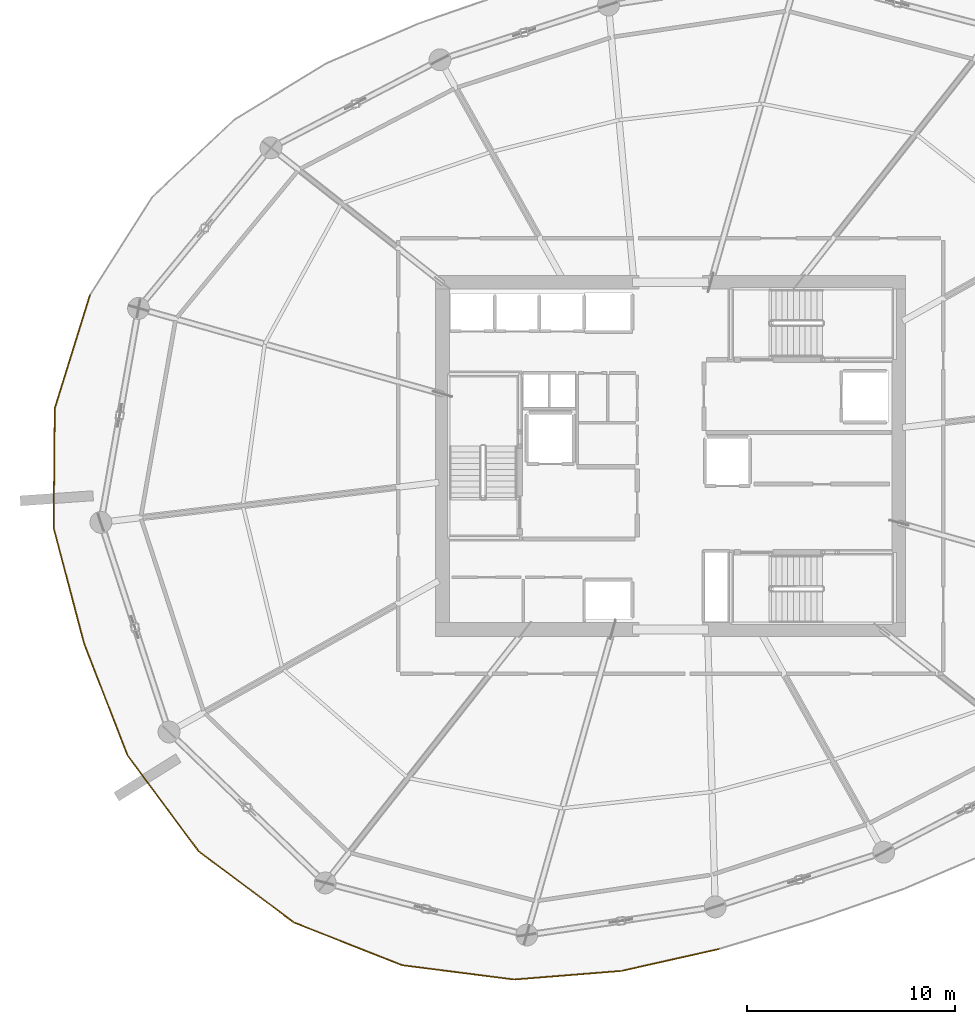
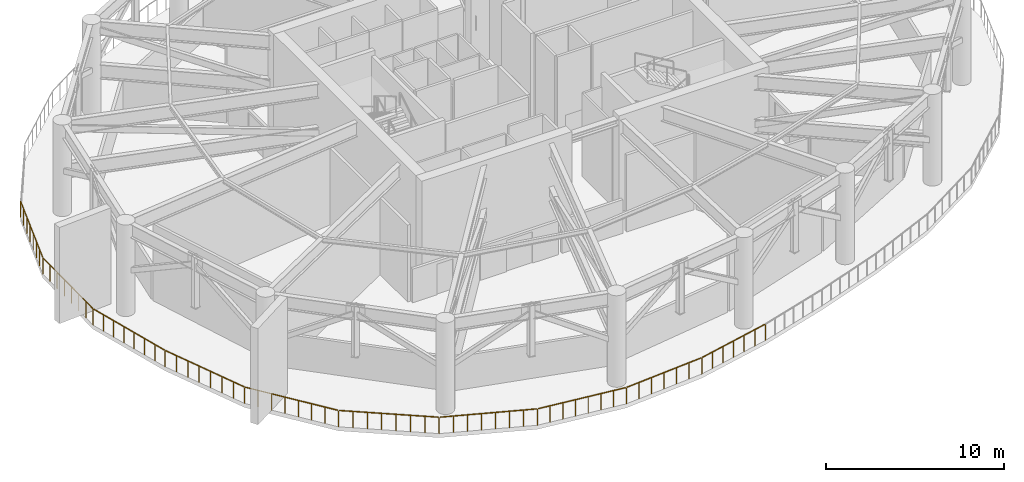
# One storey, part 16 of 20: 10 railings.
"""IFC4 building model written with IfcOpenShell, lengths in metres."""

from ifc_helpers import new_model, si_unit, direction, frame, origin, origin_2d, place, context, subcontext, project, spatial, rectangle, extrude, material, type_object, element, save


model = new_model("IFC4")

# Units and contexts
model_context = context("Model", 3, precision=1e-05, world=origin(), true_north=direction((0.0, 1.0)))
body_context = subcontext(model_context, "Body", "Model", "MODEL_VIEW")
ifc_project = project(units=[si_unit("LENGTHUNIT", "METRE"), si_unit("AREAUNIT", "SQUARE_METRE"), si_unit("VOLUMEUNIT", "CUBIC_METRE"), si_unit("PLANEANGLEUNIT", "RADIAN"), si_unit("MASSUNIT", "GRAM", prefix="KILO")], contexts=[model_context])

# Site, building, storey
site_placement = place(None, origin())
site = spatial("IfcSite", under=ifc_project, at=site_placement, CompositionType="ELEMENT")
building_placement = place(site_placement, origin())
building = spatial("IfcBuilding", under=site, at=building_placement, Name="Kazma Halo Residences", CompositionType="ELEMENT")
storey_placement = place(building_placement, frame((0.0, 0.0, 225.300048828125)))
storey = spatial("IfcBuildingStorey", under=building, at=storey_placement, Name="L57", CompositionType="ELEMENT", Elevation=225.300048828125)

# Railings
ifc_material = material(Name="Brushed Stainless Steel and Laminated Glass", Category="steel")
railing_type = type_object("IfcRailingType", Name="RLG-EXT-GUARD-1150", PredefinedType="GUARDRAIL", material=ifc_material)
railing_1_placement = place(storey_placement, frame((20.5625, 49.73828125, 0.0)))
element("IfcRailing", 1, at=railing_1_placement, inside=storey, type_object=railing_type, Name="L57 open wind-floor perimeter guard 14", PredefinedType="GUARDRAIL", context=body_context, shape_type="SweptSolid", body=[
    extrude(rectangle(XDim=0.050048828125, YDim=0.050048828125, at=origin_2d()), frame((-0.0126953125, -0.04052734375, 1.125), z_axis=(-0.296885266227, -0.954913157673, 0.0), x_axis=(0.954913157673, -0.296885266227, 0.0)), (0.0, 0.0, 1.0), 5.617919921875),
    extrude(rectangle(XDim=0.0400390625, YDim=0.0400390625, at=origin_2d()), origin(), (0.0, 0.0, 1.0), 1.087890625),
    extrude(rectangle(XDim=0.0400390625, YDim=0.0400390625, at=origin_2d()), frame((-0.241943359375, -0.778076171875, 0.0)), (0.0, 0.0, 1.0), 1.087890625),
    extrude(rectangle(XDim=0.0400390625, YDim=0.0400390625, at=origin_2d()), frame((-0.483642578125, -1.555908203125, 0.0)), (0.0, 0.0, 1.0), 1.087890625),
    extrude(rectangle(XDim=0.0400390625, YDim=0.0400390625, at=origin_2d()), frame((-0.7255859375, -2.333984375, 0.0)), (0.0, 0.0, 1.0), 1.087890625),
    extrude(rectangle(XDim=0.0400390625, YDim=0.0400390625, at=origin_2d()), frame((-0.967529296875, -3.11181640625, 0.0)), (0.0, 0.0, 1.0), 1.087890625),
    extrude(rectangle(XDim=0.0400390625, YDim=0.0400390625, at=origin_2d()), frame((-1.20947265625, -3.889892578125, 0.0)), (0.0, 0.0, 1.0), 1.087890625),
    extrude(rectangle(XDim=0.0400390625, YDim=0.0400390625, at=origin_2d()), frame((-1.451171875, -4.667724609375, 0.0)), (0.0, 0.0, 1.0), 1.087890625),
    extrude(rectangle(XDim=0.0400390625, YDim=0.0400390625, at=origin_2d()), frame((-1.693115234375, -5.44580078125, 0.0)), (0.0, 0.0, 1.0), 1.087890625),
])
railing_2_placement = place(storey_placement, frame((18.869384765625, 44.29248046875, 0.0)))
element("IfcRailing", 2, at=railing_2_placement, inside=storey, type_object=railing_type, Name="L57 open wind-floor perimeter guard 15", PredefinedType="GUARDRAIL", context=body_context, shape_type="SweptSolid", body=[
    extrude(rectangle(XDim=0.050048828125, YDim=0.050048828125, at=origin_2d()), frame((-0.00048828125, -0.04248046875, 1.125), z_axis=(-0.009346180269, -0.999956323503, 0.0), x_axis=(0.999956323503, -0.009346180269, 0.0)), (0.0, 0.0, 1.0), 5.661865234375),
    extrude(rectangle(XDim=0.0400390625, YDim=0.0400390625, at=origin_2d()), origin(), (0.0, 0.0, 1.0), 1.087890625),
    extrude(rectangle(XDim=0.0400390625, YDim=0.0400390625, at=origin_2d()), frame((-0.007568359375, -0.821044921875, 0.0)), (0.0, 0.0, 1.0), 1.087890625),
    extrude(rectangle(XDim=0.0400390625, YDim=0.0400390625, at=origin_2d()), frame((-0.015380859375, -1.641845703125, 0.0)), (0.0, 0.0, 1.0), 1.087890625),
    extrude(rectangle(XDim=0.0400390625, YDim=0.0400390625, at=origin_2d()), frame((-0.02294921875, -2.462890625, 0.0)), (0.0, 0.0, 1.0), 1.087890625),
    extrude(rectangle(XDim=0.0400390625, YDim=0.0400390625, at=origin_2d()), frame((-0.03076171875, -3.28369140625, 0.0)), (0.0, 0.0, 1.0), 1.087890625),
    extrude(rectangle(XDim=0.0400390625, YDim=0.0400390625, at=origin_2d()), frame((-0.038330078125, -4.104736328125, 0.0)), (0.0, 0.0, 1.0), 1.087890625),
    extrude(rectangle(XDim=0.0400390625, YDim=0.0400390625, at=origin_2d()), frame((-0.046142578125, -4.925537109375, 0.0)), (0.0, 0.0, 1.0), 1.087890625),
    extrude(rectangle(XDim=0.0400390625, YDim=0.0400390625, at=origin_2d()), frame((-0.0537109375, -5.74658203125, 0.0)), (0.0, 0.0, 1.0), 1.087890625),
])
railing_3_placement = place(storey_placement, frame((18.815673828125, 38.5458984375, 0.0)))
element("IfcRailing", 3, at=railing_3_placement, inside=storey, type_object=railing_type, Name="L57 open wind-floor perimeter guard 16", PredefinedType="GUARDRAIL", context=body_context, shape_type="SweptSolid", body=[
    extrude(rectangle(XDim=0.050048828125, YDim=0.050048828125, at=origin_2d()), frame((0.0107421875, -0.041015625, 1.125), z_axis=(0.254959938761, -0.966951617004, 0.0), x_axis=(0.966951617004, 0.254959938761, 0.0)), (0.0, 0.0, 1.0), 5.657470703125),
    extrude(rectangle(XDim=0.0400390625, YDim=0.0400390625, at=origin_2d()), origin(), (0.0, 0.0, 1.0), 1.087890625),
    extrude(rectangle(XDim=0.0400390625, YDim=0.0400390625, at=origin_2d()), frame((0.209228515625, -0.793212890625, 0.0)), (0.0, 0.0, 1.0), 1.087890625),
    extrude(rectangle(XDim=0.0400390625, YDim=0.0400390625, at=origin_2d()), frame((0.418212890625, -1.58642578125, 0.0)), (0.0, 0.0, 1.0), 1.087890625),
    extrude(rectangle(XDim=0.0400390625, YDim=0.0400390625, at=origin_2d()), frame((0.62744140625, -2.379638671875, 0.0)), (0.0, 0.0, 1.0), 1.087890625),
    extrude(rectangle(XDim=0.0400390625, YDim=0.0400390625, at=origin_2d()), frame((0.836669921875, -3.173095703125, 0.0)), (0.0, 0.0, 1.0), 1.087890625),
    extrude(rectangle(XDim=0.0400390625, YDim=0.0400390625, at=origin_2d()), frame((1.0458984375, -3.96630859375, 0.0)), (0.0, 0.0, 1.0), 1.087890625),
    extrude(rectangle(XDim=0.0400390625, YDim=0.0400390625, at=origin_2d()), frame((1.2548828125, -4.759521484375, 0.0)), (0.0, 0.0, 1.0), 1.087890625),
    extrude(rectangle(XDim=0.0400390625, YDim=0.0400390625, at=origin_2d()), frame((1.464111328125, -5.552734375, 0.0)), (0.0, 0.0, 1.0), 1.087890625),
])
railing_4_placement = place(storey_placement, frame((20.27978515625, 32.9931640625, 0.0)))
element("IfcRailing", 4, at=railing_4_placement, inside=storey, type_object=railing_type, Name="L57 open wind-floor perimeter guard 17", PredefinedType="GUARDRAIL", context=body_context, shape_type="SweptSolid", body=[
    extrude(rectangle(XDim=0.050048828125, YDim=0.050048828125, at=origin_2d()), frame((0.015380859375, -0.03955078125, 1.125), z_axis=(0.362099505879, -0.932139446565, 0.0), x_axis=(0.932139446565, 0.362099505879, 0.0)), (0.0, 0.0, 1.0), 5.657470703125),
    extrude(rectangle(XDim=0.0400390625, YDim=0.0400390625, at=origin_2d()), origin(), (0.0, 0.0, 1.0), 1.087890625),
    extrude(rectangle(XDim=0.0400390625, YDim=0.0400390625, at=origin_2d()), frame((0.297119140625, -0.7646484375, 0.0)), (0.0, 0.0, 1.0), 1.087890625),
    extrude(rectangle(XDim=0.0400390625, YDim=0.0400390625, at=origin_2d()), frame((0.593994140625, -1.529296875, 0.0)), (0.0, 0.0, 1.0), 1.087890625),
    extrude(rectangle(XDim=0.0400390625, YDim=0.0400390625, at=origin_2d()), frame((0.89111328125, -2.2939453125, 0.0)), (0.0, 0.0, 1.0), 1.087890625),
    extrude(rectangle(XDim=0.0400390625, YDim=0.0400390625, at=origin_2d()), frame((1.188232421875, -3.058837890625, 0.0)), (0.0, 0.0, 1.0), 1.087890625),
    extrude(rectangle(XDim=0.0400390625, YDim=0.0400390625, at=origin_2d()), frame((1.4853515625, -3.823486328125, 0.0)), (0.0, 0.0, 1.0), 1.087890625),
    extrude(rectangle(XDim=0.0400390625, YDim=0.0400390625, at=origin_2d()), frame((1.7822265625, -4.588134765625, 0.0)), (0.0, 0.0, 1.0), 1.087890625),
    extrude(rectangle(XDim=0.0400390625, YDim=0.0400390625, at=origin_2d()), frame((2.079345703125, -5.352783203125, 0.0)), (0.0, 0.0, 1.0), 1.087890625),
])
railing_5_placement = place(storey_placement, frame((22.359130859375, 27.640380859375, 0.0)))
element("IfcRailing", 5, at=railing_5_placement, inside=storey, type_object=railing_type, Name="L57 open wind-floor perimeter guard 18", PredefinedType="GUARDRAIL", context=body_context, shape_type="SweptSolid", body=[
    extrude(rectangle(XDim=0.050048828125, YDim=0.050048828125, at=origin_2d()), frame((0.025390625, -0.0341796875, 1.125), z_axis=(0.595327107101, -0.803483438255, 0.0), x_axis=(0.803483438255, 0.595327107101, 0.0)), (0.0, 0.0, 1.0), 5.661865234375),
    extrude(rectangle(XDim=0.0400390625, YDim=0.0400390625, at=origin_2d()), origin(), (0.0, 0.0, 1.0), 1.087890625),
    extrude(rectangle(XDim=0.0400390625, YDim=0.0400390625, at=origin_2d()), frame((0.48876953125, -0.65966796875, 0.0)), (0.0, 0.0, 1.0), 1.087890625),
    extrude(rectangle(XDim=0.0400390625, YDim=0.0400390625, at=origin_2d()), frame((0.9775390625, -1.3193359375, 0.0)), (0.0, 0.0, 1.0), 1.087890625),
    extrude(rectangle(XDim=0.0400390625, YDim=0.0400390625, at=origin_2d()), frame((1.46630859375, -1.97900390625, 0.0)), (0.0, 0.0, 1.0), 1.087890625),
    extrude(rectangle(XDim=0.0400390625, YDim=0.0400390625, at=origin_2d()), frame((1.955078125, -2.638671875, 0.0)), (0.0, 0.0, 1.0), 1.087890625),
    extrude(rectangle(XDim=0.0400390625, YDim=0.0400390625, at=origin_2d()), frame((2.44384765625, -3.29833984375, 0.0)), (0.0, 0.0, 1.0), 1.087890625),
    extrude(rectangle(XDim=0.0400390625, YDim=0.0400390625, at=origin_2d()), frame((2.9326171875, -3.9580078125, 0.0)), (0.0, 0.0, 1.0), 1.087890625),
    extrude(rectangle(XDim=0.0400390625, YDim=0.0400390625, at=origin_2d()), frame((3.42138671875, -4.61767578125, 0.0)), (0.0, 0.0, 1.0), 1.087890625),
])
railing_6_placement = place(storey_placement, frame((25.780517578125, 23.022705078125, 0.0)))
element("IfcRailing", 6, at=railing_6_placement, inside=storey, type_object=railing_type, Name="L57 open wind-floor perimeter guard 19", PredefinedType="GUARDRAIL", context=body_context, shape_type="SweptSolid", body=[
    extrude(rectangle(XDim=0.050048828125, YDim=0.050048828125, at=origin_2d()), frame((0.0341796875, -0.025390625, 1.125), z_axis=(0.801472008751, -0.59803228942, 0.0), x_axis=(0.59803228942, 0.801472008751, 0.0)), (0.0, 0.0, 1.0), 5.61767578125),
    extrude(rectangle(XDim=0.0400390625, YDim=0.0400390625, at=origin_2d()), origin(), (0.0, 0.0, 1.0), 1.087890625),
    extrude(rectangle(XDim=0.0400390625, YDim=0.0400390625, at=origin_2d()), frame((0.65283203125, -0.4873046875, 0.0)), (0.0, 0.0, 1.0), 1.087890625),
    extrude(rectangle(XDim=0.0400390625, YDim=0.0400390625, at=origin_2d()), frame((1.305908203125, -0.974365234375, 0.0)), (0.0, 0.0, 1.0), 1.087890625),
    extrude(rectangle(XDim=0.0400390625, YDim=0.0400390625, at=origin_2d()), frame((1.958740234375, -1.461669921875, 0.0)), (0.0, 0.0, 1.0), 1.087890625),
    extrude(rectangle(XDim=0.0400390625, YDim=0.0400390625, at=origin_2d()), frame((2.61181640625, -1.94873046875, 0.0)), (0.0, 0.0, 1.0), 1.087890625),
    extrude(rectangle(XDim=0.0400390625, YDim=0.0400390625, at=origin_2d()), frame((3.2646484375, -2.43603515625, 0.0)), (0.0, 0.0, 1.0), 1.087890625),
    extrude(rectangle(XDim=0.0400390625, YDim=0.0400390625, at=origin_2d()), frame((3.917724609375, -2.923095703125, 0.0)), (0.0, 0.0, 1.0), 1.087890625),
    extrude(rectangle(XDim=0.0400390625, YDim=0.0400390625, at=origin_2d()), frame((4.570556640625, -3.410400390625, 0.0)), (0.0, 0.0, 1.0), 1.087890625),
])
railing_7_placement = place(storey_placement, frame((30.35107421875, 19.6123046875, 0.0)))
element("IfcRailing", 7, at=railing_7_placement, inside=storey, type_object=railing_type, Name="L57 open wind-floor perimeter guard 20", PredefinedType="GUARDRAIL", context=body_context, shape_type="SweptSolid", body=[
    extrude(rectangle(XDim=0.050048828125, YDim=0.050048828125, at=origin_2d()), frame((0.03955078125, -0.015625, 1.125), z_axis=(0.93029771468, -0.366805346283, 0.0), x_axis=(0.366805346283, 0.93029771468, 0.0)), (0.0, 0.0, 1.0), 5.501953125),
    extrude(rectangle(XDim=0.0400390625, YDim=0.0400390625, at=origin_2d()), origin(), (0.0, 0.0, 1.0), 1.087890625),
    extrude(rectangle(XDim=0.0400390625, YDim=0.0400390625, at=origin_2d()), frame((0.742431640625, -0.292724609375, 0.0)), (0.0, 0.0, 1.0), 1.087890625),
    extrude(rectangle(XDim=0.0400390625, YDim=0.0400390625, at=origin_2d()), frame((1.485107421875, -0.58544921875, 0.0)), (0.0, 0.0, 1.0), 1.087890625),
    extrude(rectangle(XDim=0.0400390625, YDim=0.0400390625, at=origin_2d()), frame((2.2275390625, -0.878173828125, 0.0)), (0.0, 0.0, 1.0), 1.087890625),
    extrude(rectangle(XDim=0.0400390625, YDim=0.0400390625, at=origin_2d()), frame((2.969970703125, -1.171142578125, 0.0)), (0.0, 0.0, 1.0), 1.087890625),
    extrude(rectangle(XDim=0.0400390625, YDim=0.0400390625, at=origin_2d()), frame((3.71240234375, -1.4638671875, 0.0)), (0.0, 0.0, 1.0), 1.087890625),
    extrude(rectangle(XDim=0.0400390625, YDim=0.0400390625, at=origin_2d()), frame((4.455078125, -1.756591796875, 0.0)), (0.0, 0.0, 1.0), 1.087890625),
    extrude(rectangle(XDim=0.0400390625, YDim=0.0400390625, at=origin_2d()), frame((5.197509765625, -2.04931640625, 0.0)), (0.0, 0.0, 1.0), 1.087890625),
])
railing_8_placement = place(storey_placement, frame((35.548583984375, 17.56298828125, 0.0)))
element("IfcRailing", 8, at=railing_8_placement, inside=storey, type_object=railing_type, Name="L57 open wind-floor perimeter guard 21", PredefinedType="GUARDRAIL", context=body_context, shape_type="SweptSolid", body=[
    extrude(rectangle(XDim=0.050048828125, YDim=0.050048828125, at=origin_2d()), frame((0.042236328125, -0.00537109375, 1.125), z_axis=(0.991979301164, -0.126400419551, 0.0), x_axis=(0.126400419551, 0.991979301164, 0.0)), (0.0, 0.0, 1.0), 5.324951171875),
    extrude(rectangle(XDim=0.0400390625, YDim=0.0400390625, at=origin_2d()), origin(), (0.0, 0.0, 1.0), 1.087890625),
    extrude(rectangle(XDim=0.0400390625, YDim=0.0400390625, at=origin_2d()), frame((0.7666015625, -0.09765625, 0.0)), (0.0, 0.0, 1.0), 1.087890625),
    extrude(rectangle(XDim=0.0400390625, YDim=0.0400390625, at=origin_2d()), frame((1.533447265625, -0.1953125, 0.0)), (0.0, 0.0, 1.0), 1.087890625),
    extrude(rectangle(XDim=0.0400390625, YDim=0.0400390625, at=origin_2d()), frame((2.300048828125, -0.29296875, 0.0)), (0.0, 0.0, 1.0), 1.087890625),
    extrude(rectangle(XDim=0.0400390625, YDim=0.0400390625, at=origin_2d()), frame((3.066650390625, -0.390869140625, 0.0)), (0.0, 0.0, 1.0), 1.087890625),
    extrude(rectangle(XDim=0.0400390625, YDim=0.0400390625, at=origin_2d()), frame((3.833251953125, -0.488525390625, 0.0)), (0.0, 0.0, 1.0), 1.087890625),
    extrude(rectangle(XDim=0.0400390625, YDim=0.0400390625, at=origin_2d()), frame((4.60009765625, -0.586181640625, 0.0)), (0.0, 0.0, 1.0), 1.087890625),
    extrude(rectangle(XDim=0.0400390625, YDim=0.0400390625, at=origin_2d()), frame((5.36669921875, -0.683837890625, 0.0)), (0.0, 0.0, 1.0), 1.087890625),
])
railing_9_placement = place(storey_placement, frame((40.915283203125, 16.879150390625, 0.0)))
element("IfcRailing", 9, at=railing_9_placement, inside=storey, type_object=railing_type, Name="L57 open wind-floor perimeter guard 22", PredefinedType="GUARDRAIL", context=body_context, shape_type="SweptSolid", body=[
    extrude(rectangle(XDim=0.050048828125, YDim=0.050048828125, at=origin_2d()), frame((0.04248046875, 0.00341796875, 1.125), z_axis=(0.996816482765, 0.079730167995, 0.0), x_axis=(-0.079730167995, 0.996816482765, 0.0)), (0.0, 0.0, 1.0), 5.071533203125),
    extrude(rectangle(XDim=0.0400390625, YDim=0.0400390625, at=origin_2d()), origin(), (0.0, 0.0, 1.0), 1.087890625),
    extrude(rectangle(XDim=0.0400390625, YDim=0.0400390625, at=origin_2d()), frame((0.856689453125, 0.068603515625, 0.0)), (0.0, 0.0, 1.0), 1.087890625),
    extrude(rectangle(XDim=0.0400390625, YDim=0.0400390625, at=origin_2d()), frame((1.71337890625, 0.136962890625, 0.0)), (0.0, 0.0, 1.0), 1.087890625),
    extrude(rectangle(XDim=0.0400390625, YDim=0.0400390625, at=origin_2d()), frame((2.570068359375, 0.20556640625, 0.0)), (0.0, 0.0, 1.0), 1.087890625),
    extrude(rectangle(XDim=0.0400390625, YDim=0.0400390625, at=origin_2d()), frame((3.4267578125, 0.274169921875, 0.0)), (0.0, 0.0, 1.0), 1.087890625),
    extrude(rectangle(XDim=0.0400390625, YDim=0.0400390625, at=origin_2d()), frame((4.283447265625, 0.342529296875, 0.0)), (0.0, 0.0, 1.0), 1.087890625),
    extrude(rectangle(XDim=0.0400390625, YDim=0.0400390625, at=origin_2d()), frame((5.14013671875, 0.4111328125, 0.0)), (0.0, 0.0, 1.0), 1.087890625),
])
railing_10_placement = place(storey_placement, frame((46.055419921875, 17.290283203125, 0.0)))
element("IfcRailing", 10, at=railing_10_placement, inside=storey, type_object=railing_type, Name="L57 open wind-floor perimeter guard 23", PredefinedType="GUARDRAIL", context=body_context, shape_type="SweptSolid", body=[
    extrude(rectangle(XDim=0.050048828125, YDim=0.050048828125, at=origin_2d()), frame((0.04150390625, 0.00927734375, 1.125), z_axis=(0.975720413883, 0.219019802602, 0.0), x_axis=(-0.219019802602, 0.975720413883, 0.0)), (0.0, 0.0, 1.0), 4.776123046875),
    extrude(rectangle(XDim=0.0400390625, YDim=0.0400390625, at=origin_2d()), origin(), (0.0, 0.0, 1.0), 1.087890625),
    extrude(rectangle(XDim=0.0400390625, YDim=0.0400390625, at=origin_2d()), frame((0.79052734375, 0.177490234375, 0.0)), (0.0, 0.0, 1.0), 1.087890625),
    extrude(rectangle(XDim=0.0400390625, YDim=0.0400390625, at=origin_2d()), frame((1.5810546875, 0.35498046875, 0.0)), (0.0, 0.0, 1.0), 1.087890625),
    extrude(rectangle(XDim=0.0400390625, YDim=0.0400390625, at=origin_2d()), frame((2.37158203125, 0.5322265625, 0.0)), (0.0, 0.0, 1.0), 1.087890625),
    extrude(rectangle(XDim=0.0400390625, YDim=0.0400390625, at=origin_2d()), frame((3.162109375, 0.709716796875, 0.0)), (0.0, 0.0, 1.0), 1.087890625),
    extrude(rectangle(XDim=0.0400390625, YDim=0.0400390625, at=origin_2d()), frame((3.95263671875, 0.88720703125, 0.0)), (0.0, 0.0, 1.0), 1.087890625),
    extrude(rectangle(XDim=0.0400390625, YDim=0.0400390625, at=origin_2d()), frame((4.7431640625, 1.064697265625, 0.0)), (0.0, 0.0, 1.0), 1.087890625),
])

save(model, "model.ifc")
